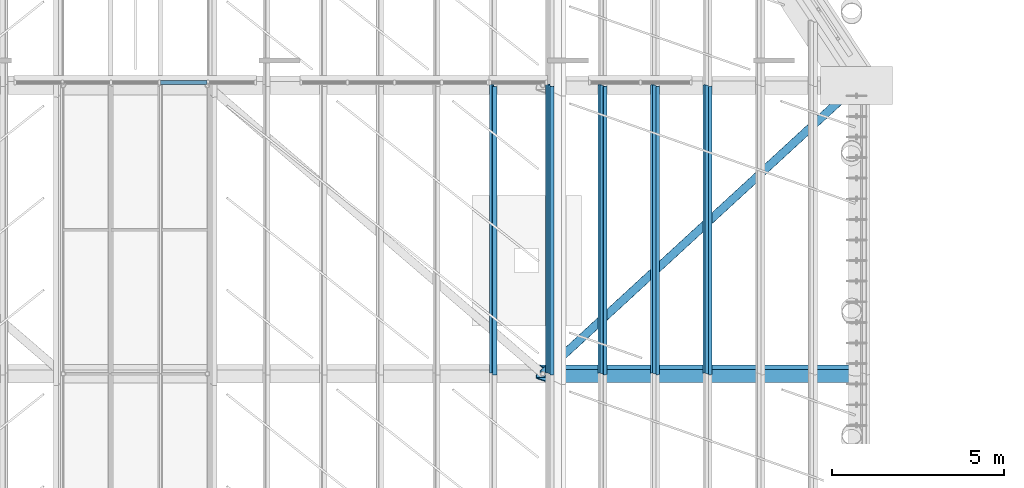
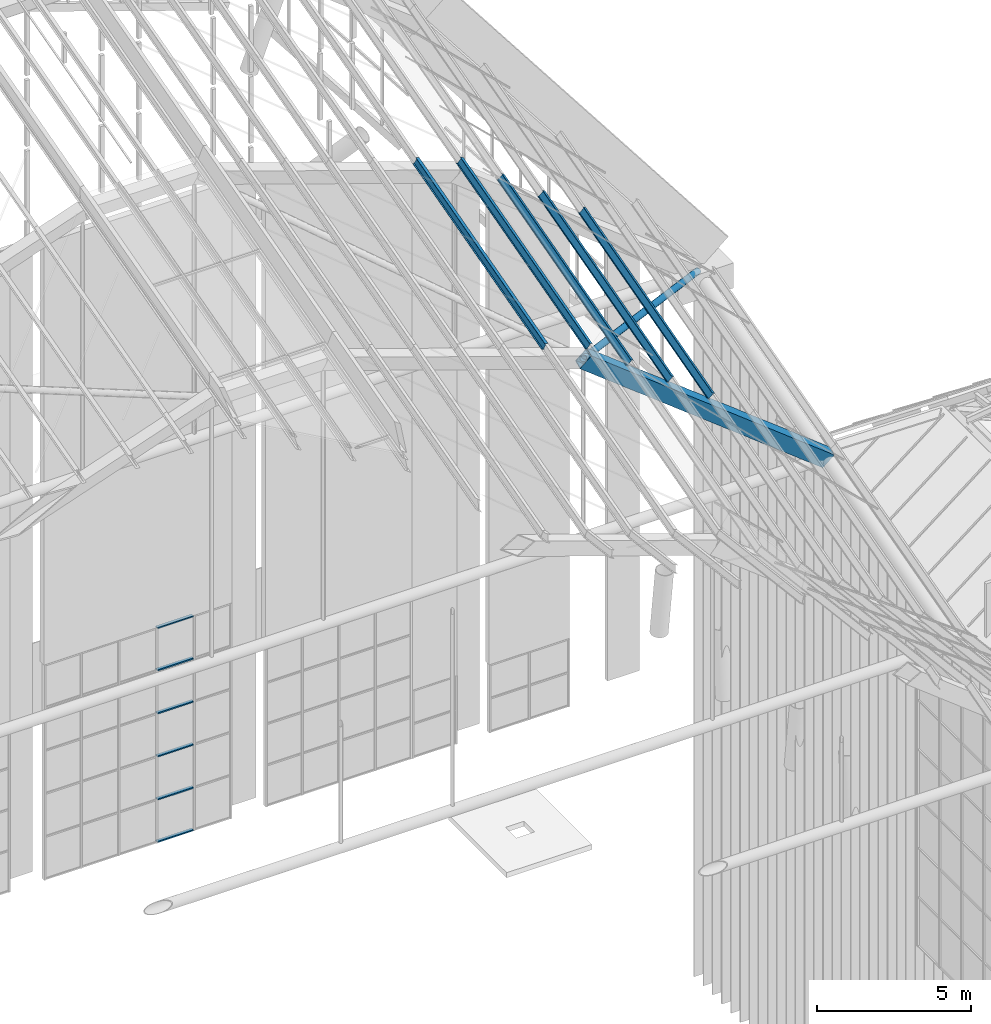
# One storey, part 62 of 126: 12 members, 1 beam, 1 element without a shape of its own.
"""IFC4 building model written with IfcOpenShell, lengths in metres."""

from ifc_helpers import new_model, si_unit, direction, frame, origin, origin_2d, place, context, subcontext, project, spatial, polyline, rectangle, hollow_circle, i_section, outline, extrude, material, material_profile, profile_set, type_object, element, aggregate, save


model = new_model("IFC4")

# Units and contexts
model_context = context("Model", 3, precision=1e-05, world=origin(), true_north=direction((0.0, 1.0)))
body_context = subcontext(model_context, "Body", "Model", "MODEL_VIEW")
ifc_project = project(units=[si_unit("LENGTHUNIT", "METRE"), si_unit("AREAUNIT", "SQUARE_METRE"), si_unit("VOLUMEUNIT", "CUBIC_METRE"), si_unit("PLANEANGLEUNIT", "RADIAN"), si_unit("MASSUNIT", "GRAM", prefix="KILO")], contexts=[model_context])

# Site, building, storey
site_placement = place(None, origin())
site = spatial("IfcSite", under=ifc_project, at=site_placement, CompositionType="ELEMENT")
building_placement = place(site_placement, origin())
building = spatial("IfcBuilding", under=site, at=building_placement, Name="Sava Quay Ferry Terminal", CompositionType="ELEMENT")
storey_placement = place(building_placement, frame((0.0, 0.0, 15.0)))
storey = spatial("IfcBuildingStorey", under=building, at=storey_placement, Name="L03", CompositionType="ELEMENT", Elevation=15.0)

# Beam
ifc_material_1 = material(Name="Steel S355", Category="steel")
ifc_material_profile_1 = material_profile(ifc_material_1, outline(polyline([(-0.199951171875, -0.300048828125), (0.199951171875, -0.300048828125), (0.199951171875, 0.300048828125), (-0.199951171875, 0.300048828125), (-0.199951171875, -0.300048828125)]), holes=[polyline([(-0.175048828125, -0.27490234375), (-0.175048828125, 0.27490234375), (0.175048828125, 0.27490234375), (0.175048828125, -0.27490234375), (-0.175048828125, -0.27490234375)])]), Name="Box 600x400x25 built-up")
ifc_profile_set_1 = profile_set([ifc_material_profile_1], Name="Steel S355")
beam_type = type_object("IfcBeamType", Name="D folded rib Box 600x400x25", PredefinedType="BEAM", material=ifc_profile_set_1)
beam_placement = place(storey_placement, frame((74.8701171875, 92.39990234375, 20.460205078125), z_axis=(0.788000093929, 0.0, -0.615675118847), x_axis=(0.129744918998, 0.977543008469, 0.166059996949)))
element("IfcBeam", 1, at=beam_placement, inside=storey, type_object=beam_type, Name="Departure hall folded rib R5 seg 5", PredefinedType="BEAM", context=body_context, shape_type="SweptSolid", body=[
    extrude(outline(polyline([(-0.199951171875, -0.300048828125), (0.199951171875, -0.300048828125), (0.199951171875, 0.300048828125), (-0.199951171875, 0.300048828125), (-0.199951171875, -0.300048828125)]), holes=[polyline([(-0.175048828125, -0.27490234375), (-0.175048828125, 0.27490234375), (0.175048828125, 0.27490234375), (0.175048828125, -0.27490234375), (-0.175048828125, -0.27490234375)])]), origin(), (0.0, 0.0, 1.0), 11.586181640625),
])

# Members
ifc_material_2 = material(Name="Steel S355", Category="steel")
ifc_material_profile_2 = material_profile(ifc_material_2, hollow_circle(Radius=0.122314453125, WallThickness=0.008056640625, at=origin_2d()), Name="CHS 244.5 x 8.0")
ifc_profile_set_2 = profile_set([ifc_material_profile_2], Name="Steel S355")
member_type_1 = type_object("IfcMemberType", Name="Roof brace CHS 244.5x8", PredefinedType="BRACE", material=ifc_profile_set_2)
member_1_placement = place(storey_placement, frame((74.8701171875, 92.39990234375, 20.460205078125), z_axis=(0.685670095264, 0.630865626478, -0.363132319946), x_axis=(-0.677085093418, 0.735904733149, 0.0)))
element("IfcMember", 2, at=member_1_placement, inside=storey, type_object=member_type_1, Name="Departure hall roof brace bay 6 panel 5", PredefinedType="BRACE", context=body_context, shape_type="SweptSolid", body=[
    extrude(hollow_circle(Radius=0.122314453125, WallThickness=0.008056640625, at=origin_2d()), origin(), (0.0, 0.0, 1.0), 13.315185546875),
])
ifc_material_3 = material(Name="Steel S355", Category="steel")
ifc_material_profile_3 = material_profile(ifc_material_3, i_section(OverallWidth=0.135009765625, OverallDepth=0.27001953125, WebThickness=0.006591796875, FlangeThickness=0.01025390625, at=origin_2d()), Name="IPE 270")
ifc_profile_set_3 = profile_set([ifc_material_profile_3], Name="Steel S355")
member_type_2 = type_object("IfcMemberType", Name="Roof purlin IPE 270", PredefinedType="PURLIN", material=ifc_profile_set_3)
for number, where, z_axis, x_axis, name in (
    (3, (73.424072265625, 92.39990234375, 21.43310546875), (0.0, 0.964555206992, 0.26388113359), (-0.949027169883, -0.083173822518, 0.304022278908), "Departure hall purlin bay 6 M3.5"),
    (4, (75.07470703125, 92.39990234375, 20.86474609375), (0.0, 0.964555206992, 0.26388113359), (-0.885499005285, -0.122610065566, 0.448172158284), "Departure hall purlin bay 6 V4"),
    (5, (76.60595703125, 92.39990234375, 19.66845703125), (0.0, 0.964555206992, 0.26388113359), (-0.798620025874, -0.158813052655, 0.580503633562), "Departure hall purlin bay 6 M4.1"),
    (6, (78.13720703125, 92.39990234375, 18.47216796875), (0.0, 0.964555206992, 0.26388113359), (-0.798620025874, -0.158813052655, 0.580503633562), "Departure hall purlin bay 6 M4.2"),
    (7, (79.668212890625, 92.39990234375, 17.27587890625), (0.0, 0.964555206992, 0.26388113359), (-0.798620025874, -0.158813052655, 0.580503633562), "Departure hall purlin bay 6 M4.3"),
):
    element("IfcMember", number, at=place(storey_placement, frame(where, z_axis=z_axis, x_axis=x_axis)), inside=storey, type_object=member_type_2, Name=name, PredefinedType="PURLIN", context=body_context, shape_type="SweptSolid", body=[
        extrude(i_section(OverallWidth=0.135009765625, OverallDepth=0.27001953125, WebThickness=0.006591796875, FlangeThickness=0.01025390625, at=origin_2d()), origin(), (0.0, 0.0, 1.0), 8.708740234375),
    ])

# Curtain wall, members
ifc_material_4 = material(Name="Aluminium and glass curtain wall, double low-e glazed", Category="aluminium")
curtain_wall_type = type_object("IfcCurtainWallType", Name="Curtain wall CW-G gable", PredefinedType="NOTDEFINED", material=ifc_material_4)
curtain_wall_placement = place(storey_placement, origin())
curtain_wall = element("IfcCurtainWall", 8, at=curtain_wall_placement, inside=storey, type_object=curtain_wall_type, Name="Curtain wall D-N L03 bay 31", PredefinedType="NOTDEFINED")
ifc_material_5 = material(Name="Aluminium EN AW-6063 T6", Category="aluminium")
ifc_material_profile_4 = material_profile(ifc_material_5, rectangle(XDim=0.1201171875, YDim=0.050048828125, at=origin_2d()), Name="Transom 50x120 aluminium")
ifc_profile_set_4 = profile_set([ifc_material_profile_4], Name="Aluminium EN AW-6063 T6")
member_type_3 = type_object("IfcMemberType", Name="Transom 50x120 aluminium", PredefinedType="USERDEFINED", material=ifc_profile_set_4)
member_2_placement = place(storey_placement, frame((63.736083984375, 100.885009765625, 0.02490234375), z_axis=(1.0, 0.0, 0.0), x_axis=(0.0, 1.0, 0.0)))
member_2 = element("IfcMember", 9, at=member_2_placement, type_object=member_type_3, Name="CW72 transom 4.1", ObjectType="TRANSOM", PredefinedType="USERDEFINED", context=body_context, shape_type="SweptSolid", body=[
    extrude(rectangle(XDim=0.1201171875, YDim=0.050048828125, at=origin_2d()), origin(), (0.0, 0.0, 1.0), 1.351806640625),
])
member_3_placement = place(storey_placement, frame((63.736083984375, 100.885009765625, 1.7099609375), z_axis=(1.0, 0.0, 0.0), x_axis=(0.0, 1.0, 0.0)))
member_3 = element("IfcMember", 10, at=member_3_placement, type_object=member_type_3, Name="CW72 transom 4.2", ObjectType="TRANSOM", PredefinedType="USERDEFINED", context=body_context, shape_type="SweptSolid", body=[
    extrude(rectangle(XDim=0.1201171875, YDim=0.050048828125, at=origin_2d()), origin(), (0.0, 0.0, 1.0), 1.351806640625),
])
member_4_placement = place(storey_placement, frame((63.736083984375, 100.885009765625, 3.419921875), z_axis=(1.0, 0.0, 0.0), x_axis=(0.0, 1.0, 0.0)))
member_4 = element("IfcMember", 11, at=member_4_placement, type_object=member_type_3, Name="CW72 transom 4.3", ObjectType="TRANSOM", PredefinedType="USERDEFINED", context=body_context, shape_type="SweptSolid", body=[
    extrude(rectangle(XDim=0.1201171875, YDim=0.050048828125, at=origin_2d()), origin(), (0.0, 0.0, 1.0), 1.351806640625),
])
member_5_placement = place(storey_placement, frame((63.736083984375, 100.885009765625, 5.1298828125), z_axis=(1.0, 0.0, 0.0), x_axis=(0.0, 1.0, 0.0)))
member_5 = element("IfcMember", 12, at=member_5_placement, type_object=member_type_3, Name="CW72 transom 4.4", ObjectType="TRANSOM", PredefinedType="USERDEFINED", context=body_context, shape_type="SweptSolid", body=[
    extrude(rectangle(XDim=0.1201171875, YDim=0.050048828125, at=origin_2d()), origin(), (0.0, 0.0, 1.0), 1.351806640625),
])
member_6_placement = place(storey_placement, frame((63.736083984375, 100.885009765625, 6.840087890625), z_axis=(1.0, 0.0, 0.0), x_axis=(0.0, 1.0, 0.0)))
member_6 = element("IfcMember", 13, at=member_6_placement, type_object=member_type_3, Name="CW72 transom 4.5", ObjectType="TRANSOM", PredefinedType="USERDEFINED", context=body_context, shape_type="SweptSolid", body=[
    extrude(rectangle(XDim=0.1201171875, YDim=0.050048828125, at=origin_2d()), origin(), (0.0, 0.0, 1.0), 1.351806640625),
])
member_7_placement = place(storey_placement, frame((63.736083984375, 100.885009765625, 8.52490234375), z_axis=(1.0, 0.0, 0.0), x_axis=(0.0, 1.0, 0.0)))
member_7 = element("IfcMember", 14, at=member_7_placement, type_object=member_type_3, Name="CW72 transom 4.6", ObjectType="TRANSOM", PredefinedType="USERDEFINED", context=body_context, shape_type="SweptSolid", body=[
    extrude(rectangle(XDim=0.1201171875, YDim=0.050048828125, at=origin_2d()), origin(), (0.0, 0.0, 1.0), 1.351806640625),
])
aggregate(curtain_wall, [member_2, member_3, member_4, member_5, member_6, member_7])

save(model, "model.ifc")
